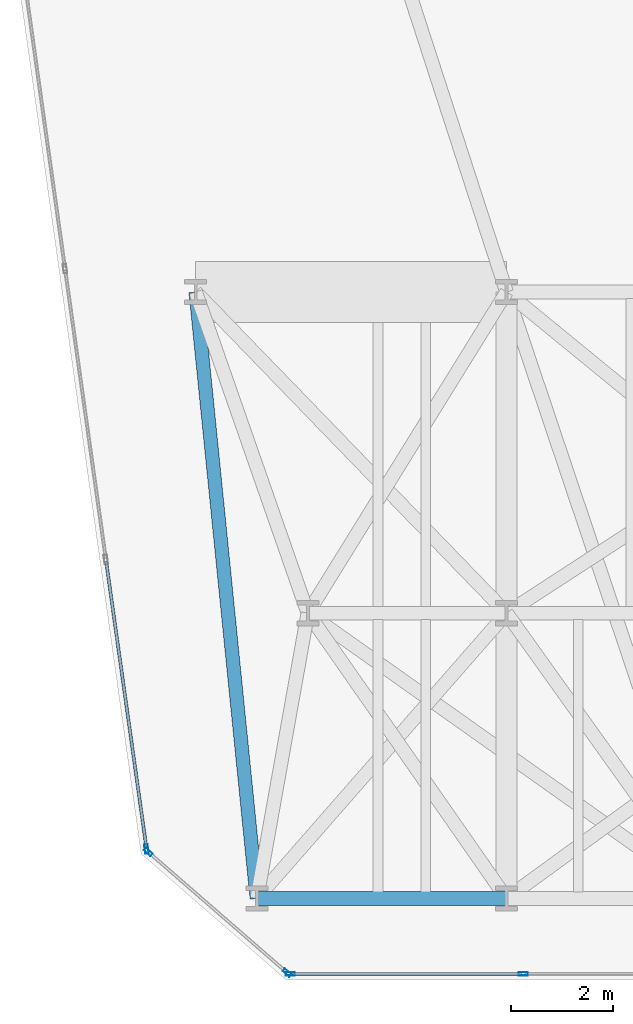
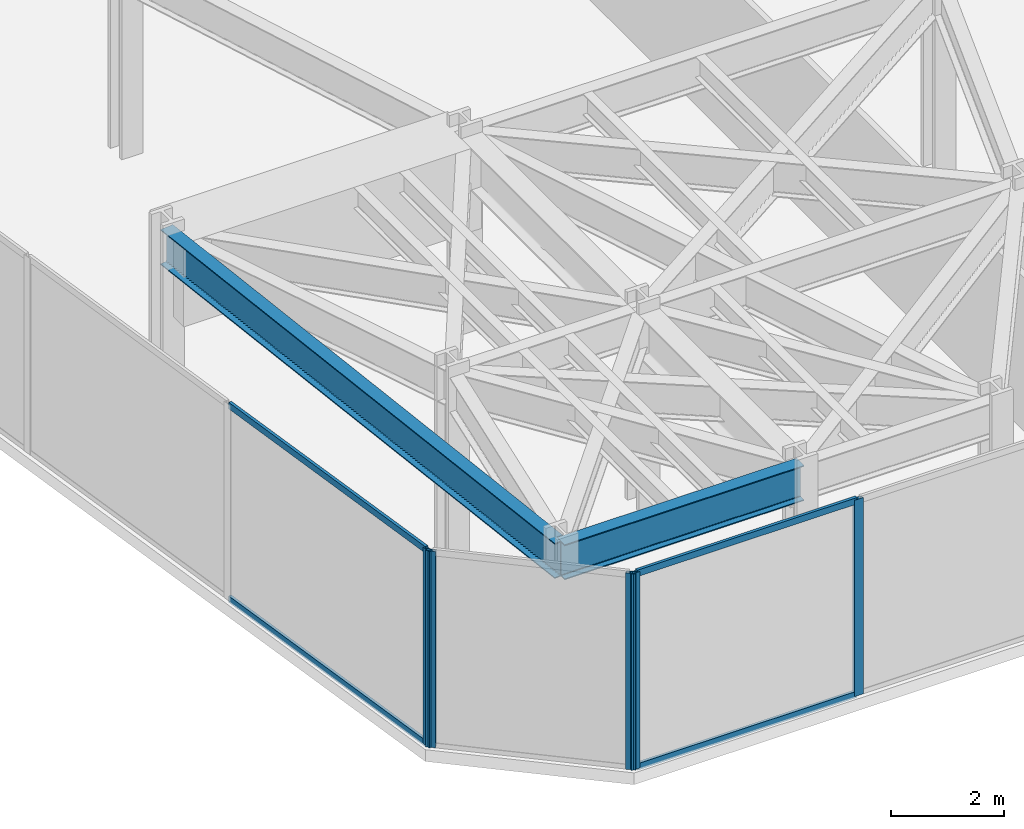
# One storey, part 2 of 28: 9 members, 2 beams, 3 elements without a shape of their own.
"""IFC4 building model written with IfcOpenShell, lengths in metres."""

from ifc_helpers import new_model, si_unit, direction, frame, origin, origin_2d, place, context, subcontext, project, spatial, hollow_rectangle, i_section, extrude, material, layer, layer_set, material_profile, profile_set, type_object, element, aggregate, save


model = new_model("IFC4")

# Units and contexts
model_context = context("Model", 3, precision=1e-05, world=origin(), true_north=direction((0.0, 1.0)))
body_context = subcontext(model_context, "Body", "Model", "MODEL_VIEW")
ifc_project = project(units=[si_unit("LENGTHUNIT", "METRE"), si_unit("AREAUNIT", "SQUARE_METRE"), si_unit("VOLUMEUNIT", "CUBIC_METRE"), si_unit("PLANEANGLEUNIT", "RADIAN"), si_unit("MASSUNIT", "GRAM", prefix="KILO")], contexts=[model_context])

# Site, building, storey
site_placement = place(None, origin())
site = spatial("IfcSite", under=ifc_project, at=site_placement, CompositionType="ELEMENT")
building_placement = place(site_placement, origin())
building = spatial("IfcBuilding", under=site, at=building_placement, Name="Kravanh Interchange Tower", CompositionType="ELEMENT")
storey_placement = place(building_placement, frame((0.0, 0.0, 91.5)))
storey = spatial("IfcBuildingStorey", under=building, at=storey_placement, Name="L21", CompositionType="ELEMENT", Elevation=91.5)

# Curtain wall, member
ifc_material_1 = material(Name="Anodised Bronze Aluminium", Category="aluminium")
ifc_layer = layer(ifc_material_1, 0.179931640625)
ifc_layer_set = layer_set([ifc_layer], Name="Unitised Curtain Wall System CW-SKY Sky Observatory")
curtain_wall_type = type_object("IfcCurtainWallType", Name="Unitised Curtain Wall System CW-SKY Sky Observatory", PredefinedType="NOTDEFINED", material=ifc_layer_set)
curtain_wall_1_placement = place(storey_placement, origin())
curtain_wall_1 = element("IfcCurtainWall", 1, at=curtain_wall_1_placement, inside=storey, type_object=curtain_wall_type, Name="L21 Unitised Curtain Wall CW-L21-01", PredefinedType="NOTDEFINED")
ifc_material_2 = material(Name="Anodised Bronze Aluminium", Category="aluminium")
ifc_material_profile_1 = material_profile(ifc_material_2, hollow_rectangle(XDim=0.070068359375, YDim=0.179931640625, WallThickness=0.00390625, at=origin_2d()), Name="ALU70X180X4")
ifc_profile_set_1 = profile_set([ifc_material_profile_1], Name="Anodised Bronze Aluminium")
member_type_1 = type_object("IfcMemberType", Name="Curtain Wall Mullion ALU70X180X4 Bronze", PredefinedType="MULLION", material=ifc_profile_set_1)
member_1_placement = place(storey_placement, frame((10.435546875, 3.571533203125, 0.0), z_axis=(0.0, 0.0, 1.0), x_axis=(-0.990267585682, -0.139176538065, 0.0)))
member_1 = element("IfcMember", 2, at=member_1_placement, type_object=member_type_1, Name="CW-SKY mullion 1", PredefinedType="MULLION", context=body_context, shape_type="SweptSolid", body=[
    extrude(hollow_rectangle(XDim=0.070068359375, YDim=0.179931640625, WallThickness=0.00390625, at=origin_2d()), origin(), (0.0, 0.0, 1.0), 4.25),
])

# Curtain wall, members
curtain_wall_2_placement = place(storey_placement, origin())
curtain_wall_2 = element("IfcCurtainWall", 3, at=curtain_wall_2_placement, inside=storey, type_object=curtain_wall_type, Name="L21 Unitised Curtain Wall CW-L21-07", PredefinedType="NOTDEFINED")
member_2_placement = place(storey_placement, frame((17.8271484375, 1.1201171875, 0.0), z_axis=(0.0, 0.0, 1.0), x_axis=(0.0, -1.0, 0.0)))
member_2 = element("IfcMember", 4, at=member_2_placement, type_object=member_type_1, Name="CW-SKY mullion 2", PredefinedType="MULLION", context=body_context, shape_type="SweptSolid", body=[
    extrude(hollow_rectangle(XDim=0.070068359375, YDim=0.179931640625, WallThickness=0.00390625, at=origin_2d()), origin(), (0.0, 0.0, 1.0), 4.25),
])
member_3_placement = place(storey_placement, frame((13.255615234375, 1.1201171875, 0.0), z_axis=(0.0, 0.0, 1.0), x_axis=(0.0, -1.0, 0.0)))
member_3 = element("IfcMember", 5, at=member_3_placement, type_object=member_type_1, Name="CW-SKY mullion 3", PredefinedType="MULLION", context=body_context, shape_type="SweptSolid", body=[
    extrude(hollow_rectangle(XDim=0.070068359375, YDim=0.179931640625, WallThickness=0.00390625, at=origin_2d()), origin(), (0.0, 0.0, 1.0), 4.25),
])

curtain_wall_3_placement = place(storey_placement, origin())
curtain_wall_3 = element("IfcCurtainWall", 6, at=curtain_wall_3_placement, inside=storey, type_object=curtain_wall_type, Name="L21 Unitised Curtain Wall CW-L21-08", PredefinedType="NOTDEFINED")
member_4_placement = place(storey_placement, frame((13.194091796875, 1.14306640625, 0.0), z_axis=(0.0, 0.0, 1.0), x_axis=(-0.656060422341, -0.754708368999, 0.0)))
member_4 = element("IfcMember", 7, at=member_4_placement, type_object=member_type_1, Name="CW-SKY mullion 1", PredefinedType="MULLION", context=body_context, shape_type="SweptSolid", body=[
    extrude(hollow_rectangle(XDim=0.070068359375, YDim=0.179931640625, WallThickness=0.00390625, at=origin_2d()), origin(), (0.0, 0.0, 1.0), 4.25),
])
member_5_placement = place(storey_placement, frame((10.466796875, 3.513916015625, 0.0), z_axis=(0.0, 0.0, 1.0), x_axis=(-0.656060422341, -0.754708368999, 0.0)))
member_5 = element("IfcMember", 8, at=member_5_placement, type_object=member_type_1, Name="CW-SKY mullion 2", PredefinedType="MULLION", context=body_context, shape_type="SweptSolid", body=[
    extrude(hollow_rectangle(XDim=0.070068359375, YDim=0.179931640625, WallThickness=0.00390625, at=origin_2d()), origin(), (0.0, 0.0, 1.0), 4.25),
])
aggregate(curtain_wall_3, [member_4, member_5])

# Member
ifc_material_3 = material(Name="Anodised Bronze Aluminium", Category="aluminium")
ifc_material_profile_2 = material_profile(ifc_material_3, hollow_rectangle(XDim=0.06005859375, YDim=0.139892578125, WallThickness=0.00390625, at=origin_2d()), Name="ALU60X140X4")
ifc_profile_set_2 = profile_set([ifc_material_profile_2], Name="Anodised Bronze Aluminium")
member_type_2 = type_object("IfcMemberType", Name="Curtain Wall Transom ALU60X140X4 Bronze", PredefinedType="USERDEFINED", material=ifc_profile_set_2)
member_6_placement = place(storey_placement, frame((10.4306640625, 3.606201171875, 0.030029296875), z_axis=(-0.139199330487, 0.990264382068, 0.0), x_axis=(-0.990264382068, -0.139199330487, 0.0)))
member_6 = element("IfcMember", 9, at=member_6_placement, type_object=member_type_2, Name="CW-SKY transom 1.1", ObjectType="TRANSOM", PredefinedType="USERDEFINED", context=body_context, shape_type="SweptSolid", body=[
    extrude(hollow_rectangle(XDim=0.06005859375, YDim=0.139892578125, WallThickness=0.00390625, at=origin_2d()), origin(), (0.0, 0.0, 1.0), 5.66162109375),
])

member_7_placement = place(storey_placement, frame((10.4306640625, 3.606201171875, 4.219970703125), z_axis=(-0.139199330487, 0.990264382068, 0.0), x_axis=(-0.990264382068, -0.139199330487, 0.0)))
member_7 = element("IfcMember", 10, at=member_7_placement, type_object=member_type_2, Name="CW-SKY transom 1.2", ObjectType="TRANSOM", PredefinedType="USERDEFINED", context=body_context, shape_type="SweptSolid", body=[
    extrude(hollow_rectangle(XDim=0.06005859375, YDim=0.139892578125, WallThickness=0.00390625, at=origin_2d()), origin(), (0.0, 0.0, 1.0), 5.66162109375),
])

aggregate(curtain_wall_1, [member_1, member_6, member_7])

member_8_placement = place(storey_placement, frame((17.792236328125, 1.1201171875, 0.030029296875), z_axis=(-1.0, 0.0, 0.0), x_axis=(0.0, -1.0, 0.0)))
member_8 = element("IfcMember", 11, at=member_8_placement, type_object=member_type_2, Name="CW-SKY transom 2.1", ObjectType="TRANSOM", PredefinedType="USERDEFINED", context=body_context, shape_type="SweptSolid", body=[
    extrude(hollow_rectangle(XDim=0.06005859375, YDim=0.139892578125, WallThickness=0.00390625, at=origin_2d()), origin(), (0.0, 0.0, 1.0), 4.501708984375),
])

member_9_placement = place(storey_placement, frame((17.792236328125, 1.1201171875, 4.219970703125), z_axis=(-1.0, 0.0, 0.0), x_axis=(0.0, -1.0, 0.0)))
member_9 = element("IfcMember", 12, at=member_9_placement, type_object=member_type_2, Name="CW-SKY transom 2.2", ObjectType="TRANSOM", PredefinedType="USERDEFINED", context=body_context, shape_type="SweptSolid", body=[
    extrude(hollow_rectangle(XDim=0.06005859375, YDim=0.139892578125, WallThickness=0.00390625, at=origin_2d()), origin(), (0.0, 0.0, 1.0), 4.501708984375),
])

aggregate(curtain_wall_2, [member_2, member_3, member_8, member_9])

# Beams
ifc_material_4 = material(Name="Structural Steel S355", Category="steel")
ifc_material_profile_3 = material_profile(ifc_material_4, i_section(OverallWidth=0.26708984375, OverallDepth=0.761962890625, WebThickness=0.014404296875, FlangeThickness=0.021484375, FilletRadius=0.02490234375, at=origin_2d()), Name="W30X116")
ifc_profile_set_3 = profile_set([ifc_material_profile_3], Name="Structural Steel S355")
beam_type = type_object("IfcBeamType", Name="Floor Spandrel W30X116 Structural Steel S355", PredefinedType="SPANDREL", material=ifc_profile_set_3)
beam_1_placement = place(storey_placement, frame((12.60009765625, 2.60009765625, 3.868896484375), z_axis=(1.0, 0.0, 0.0), x_axis=(0.0, 1.0, 0.0)))
element("IfcBeam", 13, at=beam_1_placement, inside=storey, type_object=beam_type, Name="L21 Perimeter Spandrel 38", PredefinedType="SPANDREL", context=body_context, shape_type="SweptSolid", body=[
    extrude(i_section(OverallWidth=0.26708984375, OverallDepth=0.761962890625, WebThickness=0.014404296875, FlangeThickness=0.021484375, FilletRadius=0.02490234375, at=origin_2d()), origin(), (0.0, 0.0, 1.0), 4.89990234375),
])
beam_2_placement = place(storey_placement, frame((12.60009765625, 2.60009765625, 3.868896484375), z_axis=(-0.100348483042, 0.994952351598, 0.0), x_axis=(-0.994952351598, -0.100348483042, 0.0)))
element("IfcBeam", 14, at=beam_2_placement, inside=storey, type_object=beam_type, Name="L21 Perimeter Spandrel 41", PredefinedType="SPANDREL", context=body_context, shape_type="SweptSolid", body=[
    extrude(i_section(OverallWidth=0.26708984375, OverallDepth=0.761962890625, WebThickness=0.014404296875, FlangeThickness=0.021484375, FilletRadius=0.02490234375, at=origin_2d()), origin(), (0.0, 0.0, 1.0), 11.960205078125),
])

save(model, "model.ifc")
